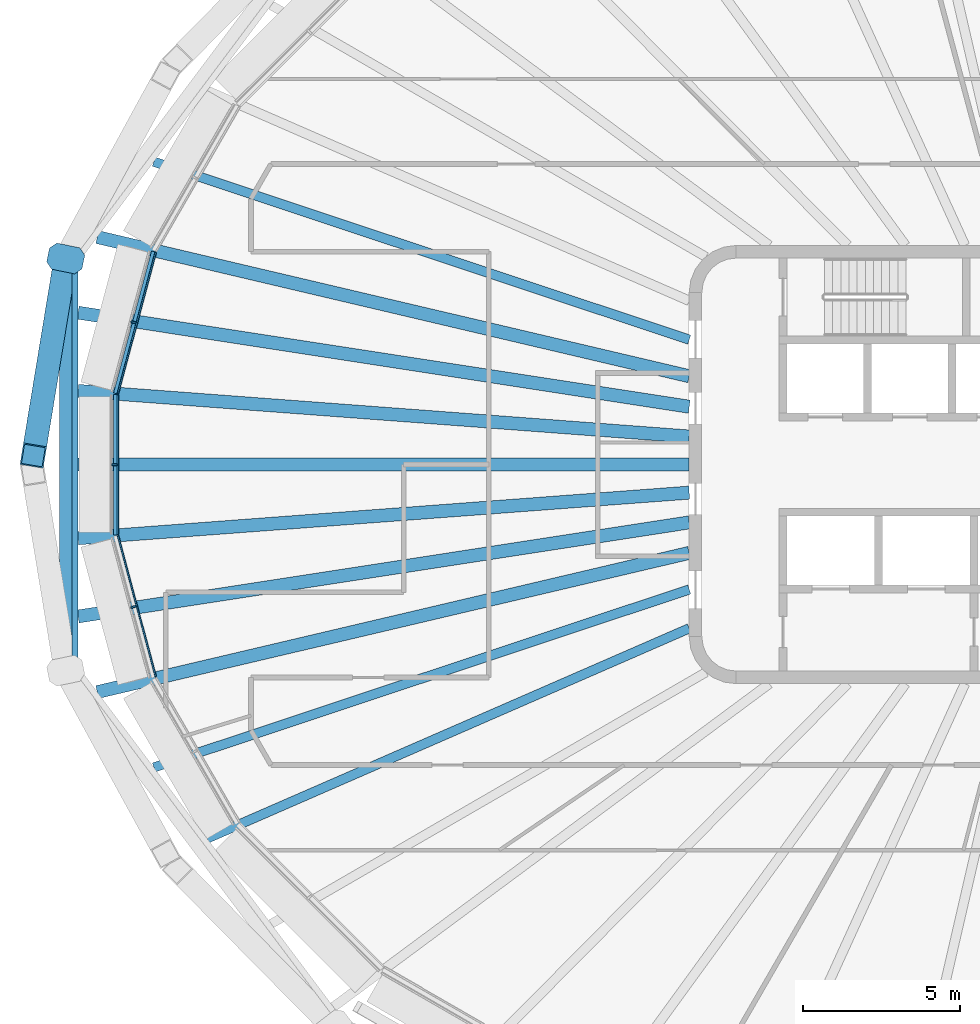
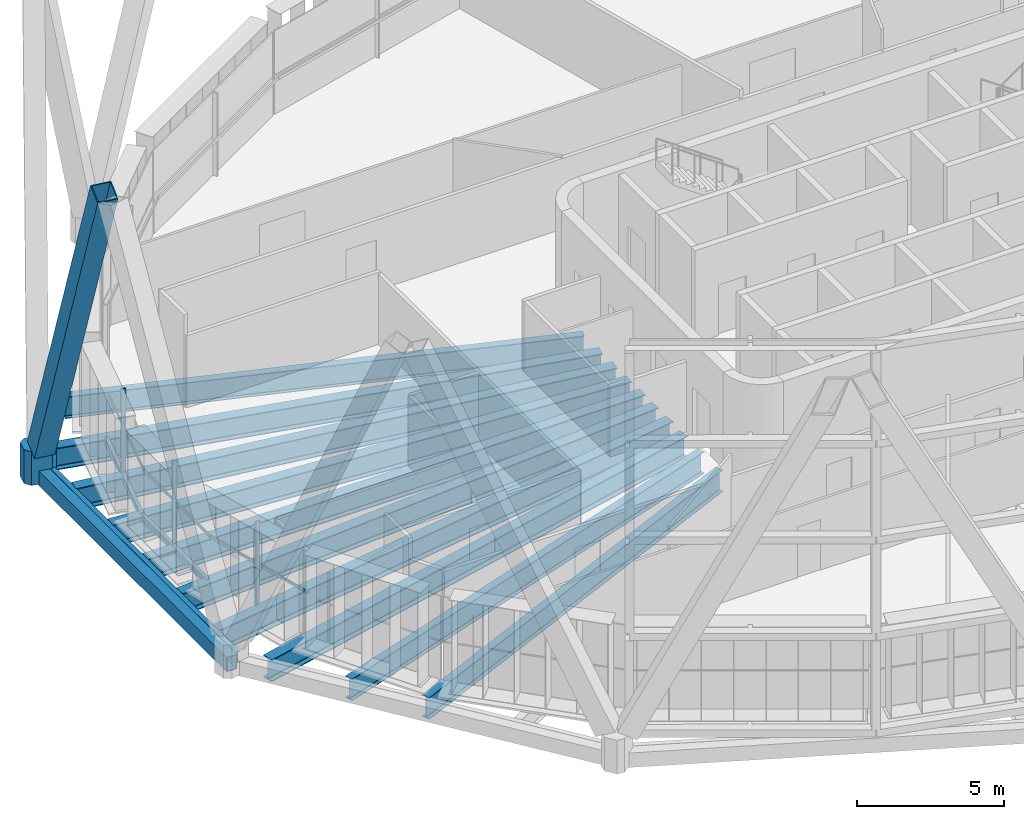
# One storey, part 3 of 22: 14 beams, 8 members, 3 elements without a shape of their own.
"""IFC4 building model written with IfcOpenShell, lengths in metres."""

from ifc_helpers import new_model, si_unit, direction, frame, origin, origin_2d, place, context, subcontext, project, spatial, polyline, rectangle, hollow_rectangle, i_section, outline, extrude, material, layer, layer_set, material_profile, profile_set, type_object, element, aggregate, save


model = new_model("IFC4")

# Units and contexts
model_context = context("Model", 3, precision=1e-05, world=origin(), true_north=direction((0.0, 1.0)))
body_context = subcontext(model_context, "Body", "Model", "MODEL_VIEW")
ifc_project = project(units=[si_unit("LENGTHUNIT", "METRE"), si_unit("AREAUNIT", "SQUARE_METRE"), si_unit("VOLUMEUNIT", "CUBIC_METRE"), si_unit("PLANEANGLEUNIT", "RADIAN"), si_unit("MASSUNIT", "GRAM", prefix="KILO")], contexts=[model_context])

# Site, building, storey
site_placement = place(None, origin())
site = spatial("IfcSite", under=ifc_project, at=site_placement, CompositionType="ELEMENT")
building_placement = place(site_placement, origin())
building = spatial("IfcBuilding", under=site, at=building_placement, Name="Sahrelin Media Tower", CompositionType="ELEMENT")
storey_placement = place(building_placement, frame((0.0, 0.0, 233.60009765625)))
storey = spatial("IfcBuildingStorey", under=building, at=storey_placement, Name="L50", CompositionType="ELEMENT", Elevation=233.60009765625)

# Members
ifc_material_1 = material(Name="Steel S460", Category="steel")
ifc_material_profile_1 = material_profile(ifc_material_1, hollow_rectangle(XDim=0.75, YDim=0.75, WallThickness=0.0400390625, at=origin_2d()), Name="Diagrid diagonal DG6")
ifc_profile_set_1 = profile_set([ifc_material_profile_1], Name="Steel S460")
member_type_1 = type_object("IfcMemberType", Name="Diagrid diagonal DG6", PredefinedType="BRACE", material=ifc_profile_set_1)
member_1_placement = place(storey_placement, frame((-31.965576171875, 6.294921875, 0.699951171875), z_axis=(-0.062400726906, -0.379744616568, 0.922984385279), x_axis=(0.986766401733, -0.162148291424, 0.0)))
element("IfcMember", 1, at=member_1_placement, inside=storey, type_object=member_type_1, Name="Diagrid diagonal D11-11", PredefinedType="BRACE", context=body_context, shape_type="SweptSolid", body=[
    extrude(hollow_rectangle(XDim=0.75, YDim=0.75, WallThickness=0.0400390625, at=origin_2d()), origin(), (0.0, 0.0, 1.0), 15.818115234375),
])
ifc_material_profile_2 = material_profile(ifc_material_1, outline(polyline([(0.375, -0.425048828125), (0.574951171875, -0.22509765625), (0.574951171875, 0.22509765625), (0.375, 0.425048828125), (-0.375, 0.425048828125), (-0.574951171875, 0.22509765625), (-0.574951171875, -0.22509765625), (-0.375, -0.425048828125), (0.375, -0.425048828125)])), Name="Diagrid node block 1150")
ifc_profile_set_2 = profile_set([ifc_material_profile_2], Name="Steel S460")
member_type_2 = type_object("IfcMemberType", Name="Diagrid node block 1150", PredefinedType="USERDEFINED", material=ifc_profile_set_2)
member_2_placement = place(storey_placement, frame((-31.918212890625, 6.582763671875, -0.7001953125), z_axis=(0.0, 0.0, 1.0), x_axis=(-0.979387770926, 0.201989094163, 0.0)))
element("IfcMember", 2, at=member_2_placement, inside=storey, type_object=member_type_2, Name="Diagrid node N11-05", ObjectType="NODE", PredefinedType="USERDEFINED", context=body_context, shape_type="SweptSolid", body=[
    extrude(outline(polyline([(0.375, -0.425048828125), (0.574951171875, -0.22509765625), (0.574951171875, 0.22509765625), (0.375, 0.425048828125), (-0.375, 0.425048828125), (-0.574951171875, 0.22509765625), (-0.574951171875, -0.22509765625), (-0.375, -0.425048828125), (0.375, -0.425048828125)])), origin(), (0.0, 0.0, 1.0), 1.400146484375),
])

# Beams
ifc_material_profile_3 = material_profile(ifc_material_1, hollow_rectangle(XDim=0.39990234375, YDim=0.60009765625, WallThickness=0.030029296875, at=origin_2d()), Name="Diagrid ring beam RB1")
ifc_profile_set_3 = profile_set([ifc_material_profile_3], Name="Steel S460")
beam_type_1 = type_object("IfcBeamType", Name="Diagrid ring beam RB1", PredefinedType="BEAM", material=ifc_profile_set_3)
beam_1_placement = place(storey_placement, frame((-31.918212890625, 6.582763671875, -0.4501953125), z_axis=(0.0, -1.0, 0.0), x_axis=(1.0, 0.0, 0.0)))
element("IfcBeam", 3, at=beam_1_placement, inside=storey, type_object=beam_type_1, Name="Diagrid ring beam RB11-05", PredefinedType="BEAM", context=body_context, shape_type="SweptSolid", body=[
    extrude(hollow_rectangle(XDim=0.39990234375, YDim=0.60009765625, WallThickness=0.030029296875, at=origin_2d()), origin(), (0.0, 0.0, 1.0), 13.16552734375),
])
ifc_material_2 = material(Name="Steel S355", Category="steel")
ifc_material_profile_4 = material_profile(ifc_material_2, i_section(OverallWidth=0.14599609375, OverallDepth=0.25146484375, WebThickness=0.006103515625, FlangeThickness=0.008544921875, FilletRadius=0.007568359375, at=origin_2d()), Name="UB 254x146x31")
ifc_profile_set_4 = profile_set([ifc_material_profile_4], Name="Steel S355")
beam_type_2 = type_object("IfcBeamType", Name="Edge beam EB1", PredefinedType="BEAM", material=ifc_profile_set_4)
beam_2_placement = place(storey_placement, frame((-30.324951171875, -2.2421875, -0.27587890625), z_axis=(0.0, 1.0, 0.0), x_axis=(-1.0, 0.0, 0.0)))
element("IfcBeam", 4, at=beam_2_placement, inside=storey, type_object=beam_type_2, Name="Edge beam L50-13", PredefinedType="BEAM", context=body_context, shape_type="SweptSolid", body=[
    extrude(i_section(OverallWidth=0.14599609375, OverallDepth=0.25146484375, WebThickness=0.006103515625, FlangeThickness=0.008544921875, FilletRadius=0.007568359375, at=origin_2d()), origin(), (0.0, 0.0, 1.0), 4.484375),
])
beam_3_placement = place(storey_placement, frame((-30.321044921875, 2.270751953125, -0.27587890625), z_axis=(0.258805425508, 0.965929475545, 0.0), x_axis=(-0.965929475545, 0.258805425508, 0.0)))
element("IfcBeam", 5, at=beam_3_placement, inside=storey, type_object=beam_type_2, Name="Edge beam L50-14", PredefinedType="BEAM", context=body_context, shape_type="SweptSolid", body=[
    extrude(i_section(OverallWidth=0.14599609375, OverallDepth=0.25146484375, WebThickness=0.006103515625, FlangeThickness=0.008544921875, FilletRadius=0.007568359375, at=origin_2d()), origin(), (0.0, 0.0, 1.0), 4.693115234375),
])

# Curtain wall, member
ifc_material_3 = material(Name="Champagne anodised aluminium 6063-T6", Category="aluminium")
ifc_layer = layer(ifc_material_3, 0.14990234375)
ifc_layer_set = layer_set([ifc_layer], Name="Tower ribbon curtain wall")
curtain_wall_type = type_object("IfcCurtainWallType", Name="Tower ribbon curtain wall", PredefinedType="NOTDEFINED", material=ifc_layer_set)
curtain_wall_1_placement = place(storey_placement, frame((-29.858642578125, 4.576171875, 0.0), z_axis=(0.0, 0.0, 1.0), x_axis=(1.0, 0.0, 0.0)))
curtain_wall_1 = element("IfcCurtainWall", 6, at=curtain_wall_1_placement, inside=storey, type_object=curtain_wall_type, Name="L50:CW:L50-11", PredefinedType="NOTDEFINED")
ifc_material_profile_5 = material_profile(ifc_material_3, rectangle(XDim=0.06005859375, YDim=0.175048828125, at=origin_2d()), Name="Mullion 60x175")
ifc_profile_set_5 = profile_set([ifc_material_profile_5], Name="Champagne anodised aluminium 6063-T6")
member_type_3 = type_object("IfcMemberType", Name="Mullion 60x175 CW1B", PredefinedType="MULLION", material=ifc_profile_set_5)
member_3_placement = place(storey_placement, frame((-29.7548828125, 4.54833984375, 0.0), z_axis=(0.0, 0.0, 1.0), x_axis=(-0.258817359244, -0.965926278012, 0.0)))
member_3 = element("IfcMember", 7, at=member_3_placement, type_object=member_type_3, Name="L50:CWM:L50-11", PredefinedType="MULLION", context=body_context, shape_type="SweptSolid", body=[
    extrude(rectangle(XDim=0.06005859375, YDim=0.175048828125, at=origin_2d()), origin(), (0.0, 0.0, 1.0), 3.448486328125),
])

curtain_wall_2_placement = place(storey_placement, frame((-30.474853515625, 0.0, 0.0), z_axis=(0.0, 0.0, 1.0), x_axis=(1.0, 0.0, 0.0)))
curtain_wall_2 = element("IfcCurtainWall", 8, at=curtain_wall_2_placement, inside=storey, type_object=curtain_wall_type, Name="L50:CW:L50-12", PredefinedType="NOTDEFINED")
member_4_placement = place(storey_placement, frame((-30.367431640625, 0.0, 0.0), z_axis=(0.0, 0.0, 1.0), x_axis=(0.0, -1.0, 0.0)))
member_4 = element("IfcMember", 9, at=member_4_placement, type_object=member_type_3, Name="L50:CWM:L50-12", PredefinedType="MULLION", context=body_context, shape_type="SweptSolid", body=[
    extrude(rectangle(XDim=0.06005859375, YDim=0.175048828125, at=origin_2d()), origin(), (0.0, 0.0, 1.0), 3.448486328125),
])

curtain_wall_3_placement = place(storey_placement, frame((-29.858642578125, -4.576171875, 0.0), z_axis=(0.0, 0.0, 1.0), x_axis=(1.0, 0.0, 0.0)))
curtain_wall_3 = element("IfcCurtainWall", 10, at=curtain_wall_3_placement, inside=storey, type_object=curtain_wall_type, Name="L50:CW:L50-13", PredefinedType="NOTDEFINED")
member_5_placement = place(storey_placement, frame((-29.7548828125, -4.54833984375, 0.0), z_axis=(0.0, 0.0, 1.0), x_axis=(0.258817359244, -0.965926278012, 0.0)))
member_5 = element("IfcMember", 11, at=member_5_placement, type_object=member_type_3, Name="L50:CWM:L50-13", PredefinedType="MULLION", context=body_context, shape_type="SweptSolid", body=[
    extrude(rectangle(XDim=0.06005859375, YDim=0.175048828125, at=origin_2d()), origin(), (0.0, 0.0, 1.0), 3.448486328125),
])

# Beams
ifc_material_profile_6 = material_profile(ifc_material_2, i_section(OverallWidth=0.30322265625, OverallDepth=0.903076171875, WebThickness=0.01513671875, FlangeThickness=0.020263671875, FilletRadius=0.01904296875, at=origin_2d()), Name="UB 914x305x201")
ifc_profile_set_6 = profile_set([ifc_material_profile_6], Name="Steel S355")
beam_type_3 = type_object("IfcBeamType", Name="Radial primary beam PB11", PredefinedType="BEAM", material=ifc_profile_set_6)
beam_4_placement = place(storey_placement, frame((-12.0, -5.231689453125, -0.6015625), z_axis=(-0.91667085004, -0.399643031575, 0.0), x_axis=(0.399643031575, -0.91667085004, 0.0)))
element("IfcBeam", 12, at=beam_4_placement, inside=storey, type_object=beam_type_3, Name="Radial beam L50-15", PredefinedType="BEAM", context=body_context, shape_type="SweptSolid", body=[
    extrude(i_section(OverallWidth=0.30322265625, OverallDepth=0.903076171875, WebThickness=0.01513671875, FlangeThickness=0.020263671875, FilletRadius=0.01904296875, at=origin_2d()), origin(), (0.0, 0.0, 1.0), 16.80078125),
])
ifc_material_profile_7 = material_profile(ifc_material_2, i_section(OverallWidth=0.41845703125, OverallDepth=0.911865234375, WebThickness=0.019287109375, FlangeThickness=0.031982421875, FilletRadius=0.024169921875, at=origin_2d()), Name="UB 914x419x343")
ifc_profile_set_7 = profile_set([ifc_material_profile_7], Name="Steel S355")
beam_type_4 = type_object("IfcBeamType", Name="Radial primary beam PB12", PredefinedType="BEAM", material=ifc_profile_set_7)
beam_5_placement = place(storey_placement, frame((-12.0, 2.821533203125, -0.60595703125), z_axis=(-0.973452758978, 0.228888020741, 0.0), x_axis=(-0.228888020741, -0.973452758978, 0.0)))
element("IfcBeam", 13, at=beam_5_placement, inside=storey, type_object=beam_type_4, Name="Radial beam L50-11", PredefinedType="BEAM", context=body_context, shape_type="SweptSolid", body=[
    extrude(i_section(OverallWidth=0.41845703125, OverallDepth=0.911865234375, WebThickness=0.019287109375, FlangeThickness=0.031982421875, FilletRadius=0.024169921875, at=origin_2d()), origin(), (0.0, 0.0, 1.0), 19.425537109375),
])
for number, where, z_axis, x_axis, name in (
    (14, (-12.0, 0.896484375, -0.60595703125), (-0.997221934607, 0.074487671049, 0.0), (-0.074487671049, -0.997221934607, 0.0), "Radial beam L50-12"),
    (15, (-12.0, -0.896484375, -0.60595703125), (-0.997221934607, -0.074487671049, 0.0), (0.074487671049, -0.997221934607, 0.0), "Radial beam L50-13"),
):
    element("IfcBeam", number, at=place(storey_placement, frame(where, z_axis=z_axis, x_axis=x_axis)), inside=storey, type_object=beam_type_4, Name=name, PredefinedType="BEAM", context=body_context, shape_type="SweptSolid", body=[
        extrude(i_section(OverallWidth=0.41845703125, OverallDepth=0.911865234375, WebThickness=0.019287109375, FlangeThickness=0.031982421875, FilletRadius=0.024169921875, at=origin_2d()), origin(), (0.0, 0.0, 1.0), 19.5771484375),
    ])
beam_6_placement = place(storey_placement, frame((-12.0, -2.821533203125, -0.60595703125), z_axis=(-0.973452758978, -0.228888020741, 0.0), x_axis=(0.228888020741, -0.973452758978, 0.0)))
element("IfcBeam", 16, at=beam_6_placement, inside=storey, type_object=beam_type_4, Name="Radial beam L50-14", PredefinedType="BEAM", context=body_context, shape_type="SweptSolid", body=[
    extrude(i_section(OverallWidth=0.41845703125, OverallDepth=0.911865234375, WebThickness=0.019287109375, FlangeThickness=0.031982421875, FilletRadius=0.024169921875, at=origin_2d()), origin(), (0.0, 0.0, 1.0), 19.425537109375),
])
ifc_material_profile_8 = material_profile(ifc_material_2, i_section(OverallWidth=0.30322265625, OverallDepth=0.903076171875, WebThickness=0.01513671875, FlangeThickness=0.020263671875, FilletRadius=0.01904296875, at=origin_2d()), Name="UB 914x305x201")
ifc_profile_set_8 = profile_set([ifc_material_profile_8], Name="Steel S355")
beam_type_5 = type_object("IfcBeamType", Name="Radial secondary beam SB11", PredefinedType="BEAM", material=ifc_profile_set_8)
for number, where, z_axis, x_axis, name in (
    (17, (-12.0, 3.990478515625, -0.6015625), (-0.948913325828, 0.315536844228, 0.0), (-0.315536844228, -0.948913325828, 0.0), "Secondary beam L50-10"),
    (18, (-12.0, -3.990478515625, -0.6015625), (-0.948913325828, -0.315536844228, 0.0), (0.315536844228, -0.948913325828, 0.0), "Secondary beam L50-14"),
):
    element("IfcBeam", number, at=place(storey_placement, frame(where, z_axis=z_axis, x_axis=x_axis)), inside=storey, type_object=beam_type_5, Name=name, PredefinedType="BEAM", context=body_context, shape_type="SweptSolid", body=[
        extrude(i_section(OverallWidth=0.30322265625, OverallDepth=0.903076171875, WebThickness=0.01513671875, FlangeThickness=0.020263671875, FilletRadius=0.01904296875, at=origin_2d()), origin(), (0.0, 0.0, 1.0), 18.023193359375),
    ])
ifc_material_profile_9 = material_profile(ifc_material_2, i_section(OverallWidth=0.41845703125, OverallDepth=0.911865234375, WebThickness=0.019287109375, FlangeThickness=0.031982421875, FilletRadius=0.024169921875, at=origin_2d()), Name="UB 914x419x343")
ifc_profile_set_9 = profile_set([ifc_material_profile_9], Name="Steel S355")
beam_type_6 = type_object("IfcBeamType", Name="Radial secondary beam SB12", PredefinedType="BEAM", material=ifc_profile_set_9)
beam_7_placement = place(storey_placement, frame((-12.0, 1.847412109375, -0.60595703125), z_axis=(-0.988357404414, 0.152150061256, 0.0), x_axis=(-0.152150061256, -0.988357404414, 0.0)))
element("IfcBeam", 19, at=beam_7_placement, inside=storey, type_object=beam_type_6, Name="Secondary beam L50-11", PredefinedType="BEAM", context=body_context, shape_type="SweptSolid", body=[
    extrude(i_section(OverallWidth=0.41845703125, OverallDepth=0.911865234375, WebThickness=0.019287109375, FlangeThickness=0.031982421875, FilletRadius=0.024169921875, at=origin_2d()), origin(), (0.0, 0.0, 1.0), 19.752685546875),
])
beam_8_placement = place(storey_placement, frame((-12.0, 0.0, -0.60595703125), z_axis=(-1.0, 0.0, 0.0), x_axis=(0.0, -1.0, 0.0)))
element("IfcBeam", 20, at=beam_8_placement, inside=storey, type_object=beam_type_6, Name="Secondary beam L50-12", PredefinedType="BEAM", context=body_context, shape_type="SweptSolid", body=[
    extrude(i_section(OverallWidth=0.41845703125, OverallDepth=0.911865234375, WebThickness=0.019287109375, FlangeThickness=0.031982421875, FilletRadius=0.024169921875, at=origin_2d()), origin(), (0.0, 0.0, 1.0), 19.522705078125),
])
beam_9_placement = place(storey_placement, frame((-12.0, -1.847412109375, -0.60595703125), z_axis=(-0.988357404414, -0.152150061256, 0.0), x_axis=(0.152150061256, -0.988357404414, 0.0)))
element("IfcBeam", 21, at=beam_9_placement, inside=storey, type_object=beam_type_6, Name="Secondary beam L50-13", PredefinedType="BEAM", context=body_context, shape_type="SweptSolid", body=[
    extrude(i_section(OverallWidth=0.41845703125, OverallDepth=0.911865234375, WebThickness=0.019287109375, FlangeThickness=0.031982421875, FilletRadius=0.024169921875, at=origin_2d()), origin(), (0.0, 0.0, 1.0), 19.752685546875),
])
ifc_material_profile_10 = material_profile(ifc_material_2, i_section(OverallWidth=0.1904296875, OverallDepth=0.45703125, WebThickness=0.009033203125, FlangeThickness=0.014404296875, FilletRadius=0.01025390625, at=origin_2d()), Name="UB 457x191x74")
ifc_profile_set_10 = profile_set([ifc_material_profile_10], Name="Steel S355")
beam_type_7 = type_object("IfcBeamType", Name="Tie chord TC5", PredefinedType="BEAM", material=ifc_profile_set_10)
beam_10_placement = place(storey_placement, frame((-31.617919921875, -6.482666015625, -0.378662109375), z_axis=(0.0, 1.0, 0.0), x_axis=(-1.0, 0.0, 0.0)))
element("IfcBeam", 22, at=beam_10_placement, inside=storey, type_object=beam_type_7, Name="Tie chord L50-07", PredefinedType="BEAM", context=body_context, shape_type="SweptSolid", body=[
    extrude(i_section(OverallWidth=0.1904296875, OverallDepth=0.45703125, WebThickness=0.009033203125, FlangeThickness=0.014404296875, FilletRadius=0.01025390625, at=origin_2d()), origin(), (0.0, 0.0, 1.0), 12.96533203125),
])

# Member
ifc_material_profile_11 = material_profile(ifc_material_3, rectangle(XDim=0.050048828125, YDim=0.110107421875, at=origin_2d()), Name="Transom 50x110")
ifc_profile_set_11 = profile_set([ifc_material_profile_11], Name="Champagne anodised aluminium 6063-T6")
member_type_4 = type_object("IfcMemberType", Name="Transom 50x110 CW1B", PredefinedType="USERDEFINED", material=ifc_profile_set_11)
member_6_placement = place(storey_placement, frame((-29.04296875, 6.7705078125, 1.599853515625), z_axis=(-0.258829455497, -0.965923036772, 0.0), x_axis=(0.965923036772, -0.258829455497, 0.0)))
member_6 = element("IfcMember", 23, at=member_6_placement, type_object=member_type_4, Name="L50:CWT:L50-11", ObjectType="TRANSOM", PredefinedType="USERDEFINED", context=body_context, shape_type="SweptSolid", body=[
    extrude(rectangle(XDim=0.050048828125, YDim=0.110107421875, at=origin_2d()), origin(), (0.0, 0.0, 1.0), 4.66162109375),
])

aggregate(curtain_wall_1, [member_3, member_6])

member_7_placement = place(storey_placement, frame((-30.2548828125, 2.226318359375, 1.599853515625), z_axis=(0.0, -1.0, 0.0), x_axis=(1.0, 0.0, 0.0)))
member_7 = element("IfcMember", 24, at=member_7_placement, type_object=member_type_4, Name="L50:CWT:L50-12", ObjectType="TRANSOM", PredefinedType="USERDEFINED", context=body_context, shape_type="SweptSolid", body=[
    extrude(rectangle(XDim=0.050048828125, YDim=0.110107421875, at=origin_2d()), origin(), (0.0, 0.0, 1.0), 4.45263671875),
])

aggregate(curtain_wall_2, [member_4, member_7])

member_8_placement = place(storey_placement, frame((-30.24951171875, -2.267822265625, 1.599853515625), z_axis=(0.258829455497, -0.965923036772, 0.0), x_axis=(0.965923036772, 0.258829455497, 0.0)))
member_8 = element("IfcMember", 25, at=member_8_placement, type_object=member_type_4, Name="L50:CWT:L50-13", ObjectType="TRANSOM", PredefinedType="USERDEFINED", context=body_context, shape_type="SweptSolid", body=[
    extrude(rectangle(XDim=0.050048828125, YDim=0.110107421875, at=origin_2d()), origin(), (0.0, 0.0, 1.0), 4.66162109375),
])

aggregate(curtain_wall_3, [member_5, member_8])

save(model, "model.ifc")
